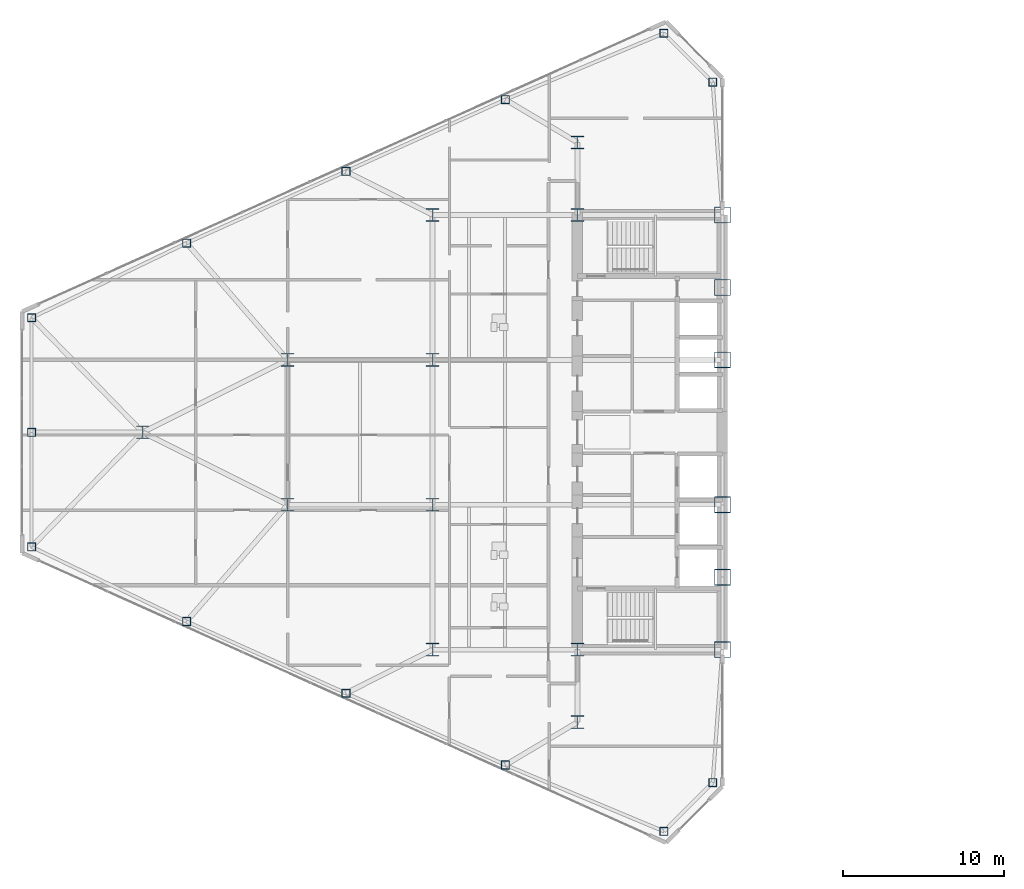
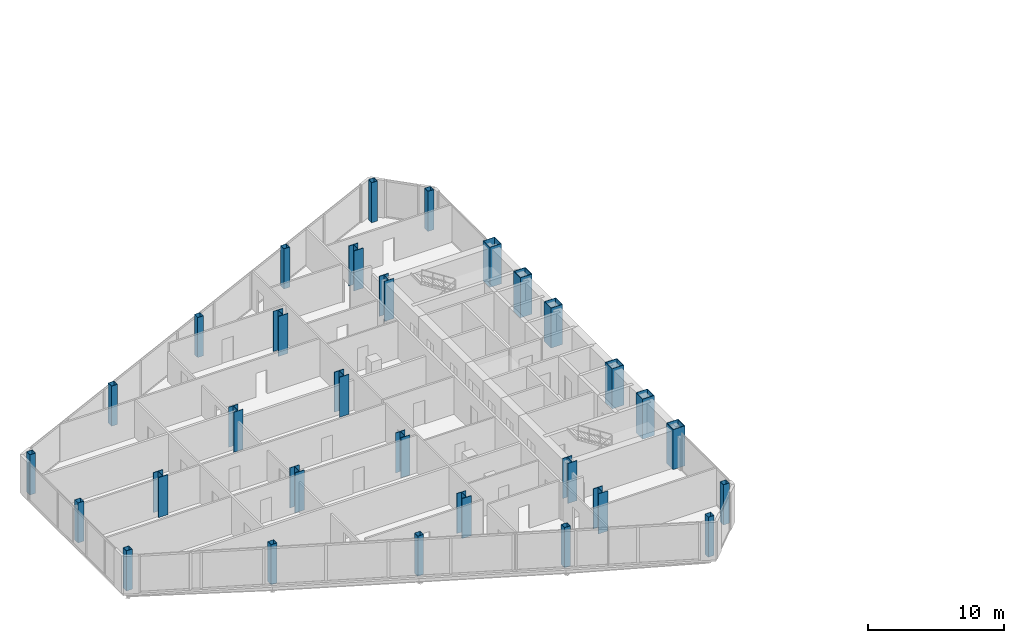
# One storey, part 1 of 27: 30 columns.
"""IFC4 building model written with IfcOpenShell, lengths in metres."""

from ifc_helpers import new_model, si_unit, direction, frame, origin, origin_2d, place, context, subcontext, project, spatial, hollow_rectangle, i_section, extrude, source, transform, mapped, material, material_profile, profile_set, type_object, type_shapes, element, save


model = new_model("IFC4")

# Units and contexts
model_context = context("Model", 3, precision=1e-05, world=origin(), true_north=direction((0.0, 1.0)))
body_context = subcontext(model_context, "Body", "Model", "MODEL_VIEW")
ifc_project = project(units=[si_unit("LENGTHUNIT", "METRE"), si_unit("AREAUNIT", "SQUARE_METRE"), si_unit("VOLUMEUNIT", "CUBIC_METRE"), si_unit("PLANEANGLEUNIT", "RADIAN"), si_unit("MASSUNIT", "GRAM", prefix="KILO")], contexts=[model_context])

# Site, building, storey
site_placement = place(None, origin())
site = spatial("IfcSite", under=ifc_project, at=site_placement, CompositionType="ELEMENT")
building_placement = place(site_placement, origin())
building = spatial("IfcBuilding", under=site, at=building_placement, Name="Seokmaru Belvedere", CompositionType="ELEMENT")
storey_placement = place(building_placement, frame((0.0, 0.0, 69.300048828125)))
storey = spatial("IfcBuildingStorey", under=building, at=storey_placement, Name="L18", CompositionType="ELEMENT", Elevation=69.300048828125)

# Columns
ifc_material_1 = material(Name="Steel SM355 (355 MPa)", Category="steel")
ifc_material_profile_1 = material_profile(ifc_material_1, hollow_rectangle(XDim=0.5, YDim=0.5, WallThickness=0.02001953125, at=origin_2d()), Name="HSS-500x500x20")
ifc_profile_set_1 = profile_set([ifc_material_profile_1], Name="Steel SM355 (355 MPa)")
column_type_1 = type_object("IfcColumnType", Name="Perimeter Facet Column HSS-500", PredefinedType="COLUMN", material=ifc_profile_set_1)
shared_shape_1 = source(origin(), body_context, "Body", "SweptSolid", [
    extrude(hollow_rectangle(XDim=0.5, YDim=0.5, WallThickness=0.02001953125, at=origin_2d()), origin(), (0.0, 0.0, 1.0), 3.599853515625),
])
type_shapes(column_type_1, [shared_shape_1])
for number, where, z_axis, x_axis, name in (
    (1, (-28.10009765625, -21.75146484375, 0.0), (0.0, 0.0, 1.0), (1.0, 0.0, 0.0), "L18 Column WF1"),
    (2, (-28.10009765625, 21.75146484375, 0.0), (0.0, 0.0, 1.0), (1.0, 0.0, 0.0), "L18 Column WF2"),
    (3, (-31.13134765625, 24.782958984375, 0.0), (0.0, 0.0, 1.0), (1.0, 0.0, 0.0), "L18 Column WF3"),
    (4, (-70.39990234375, 7.112060546875, 0.0), (0.0, 0.0, 1.0), (1.0, 0.0, 0.0), "L18 Column WF4"),
    (5, (-70.39990234375, -7.112060546875, 0.0), (0.0, 0.0, 1.0), (1.0, 0.0, 0.0), "L18 Column WF5"),
    (6, (-31.13134765625, -24.782958984375, 0.0), (0.0, 0.0, 1.0), (1.0, 0.0, 0.0), "L18 Column WF6"),
    (7, (-40.97265625, -20.661376953125, 0.0), (0.0, 0.0, 1.0), (1.0, 0.0, 0.0), "L18 Column WFLK_S1"),
    (8, (-50.875, -16.205322265625, 0.0), (0.0, 0.0, 1.0), (1.0, 0.0, 0.0), "L18 Column WFLK_S2"),
    (9, (-60.777587890625, -11.749267578125, 0.0), (0.0, 0.0, 1.0), (1.0, 0.0, 0.0), "L18 Column WFLK_S3"),
    (10, (-40.97265625, 20.661376953125, 0.0), (0.0, 0.0, 1.0), (1.0, 0.0, 0.0), "L18 Column WFLK_N1"),
    (11, (-50.875, 16.205322265625, 0.0), (0.0, 0.0, 1.0), (1.0, 0.0, 0.0), "L18 Column WFLK_N2"),
    (12, (-60.777587890625, 11.749267578125, 0.0), (0.0, 0.0, 1.0), (1.0, 0.0, 0.0), "L18 Column WFLK_N3"),
    (13, (-70.39990234375, 0.0, 0.0), (0.0, 0.0, 1.0), (1.0, 0.0, 0.0), "L18 Column WF_APXM"),
):
    element("IfcColumn", number, at=place(storey_placement, frame(where, z_axis=z_axis, x_axis=x_axis)), inside=storey, type_object=column_type_1, Name=name, PredefinedType="COLUMN", context=body_context, shape_type="MappedRepresentation", body=[
        mapped(shared_shape_1, transform((0.0, 0.0, 0.0), scale=1.0)),
    ])
ifc_material_2 = material(Name="Steel HSA650 (650 MPa)", Category="steel")
ifc_material_profile_2 = material_profile(ifc_material_2, hollow_rectangle(XDim=1.0, YDim=1.0, WallThickness=0.0419921875, at=origin_2d()), Name="BOX-1000x1000x42")
ifc_profile_set_2 = profile_set([ifc_material_profile_2], Name="Steel HSA650 (650 MPa)")
column_type_2 = type_object("IfcColumnType", Name="Portal Spine Column BOX-1000", PredefinedType="COLUMN", material=ifc_profile_set_2)
shared_shape_2 = source(origin(), body_context, "Body", "SweptSolid", [
    extrude(hollow_rectangle(XDim=1.0, YDim=1.0, WallThickness=0.0419921875, at=origin_2d()), origin(), (0.0, 0.0, 1.0), 3.599853515625),
])
type_shapes(column_type_2, [shared_shape_2])
for number, where, z_axis, x_axis, name in (
    (14, (-27.5, -13.5, 0.0), (0.0, 0.0, 1.0), (1.0, 0.0, 0.0), "L18 Column WS1"),
    (15, (-27.5, -9.0, 0.0), (0.0, 0.0, 1.0), (1.0, 0.0, 0.0), "L18 Column WS2"),
    (16, (-27.5, -4.5, 0.0), (0.0, 0.0, 1.0), (1.0, 0.0, 0.0), "L18 Column WS3"),
    (17, (-27.5, 4.5, 0.0), (0.0, 0.0, 1.0), (1.0, 0.0, 0.0), "L18 Column WS4"),
    (18, (-27.5, 9.0, 0.0), (0.0, 0.0, 1.0), (1.0, 0.0, 0.0), "L18 Column WS5"),
    (19, (-27.5, 13.5, 0.0), (0.0, 0.0, 1.0), (1.0, 0.0, 0.0), "L18 Column WS6"),
):
    element("IfcColumn", number, at=place(storey_placement, frame(where, z_axis=z_axis, x_axis=x_axis)), inside=storey, type_object=column_type_2, Name=name, PredefinedType="COLUMN", context=body_context, shape_type="MappedRepresentation", body=[
        mapped(shared_shape_2, transform((0.0, 0.0, 0.0), scale=1.0)),
    ])
ifc_material_profile_3 = material_profile(ifc_material_1, i_section(OverallWidth=0.800048828125, OverallDepth=0.800048828125, WebThickness=0.031982421875, FlangeThickness=0.050048828125, at=origin_2d()), Name="H-800x800x32x50")
ifc_profile_set_3 = profile_set([ifc_material_profile_3], Name="Steel SM355 (355 MPa)")
column_type_3 = type_object("IfcColumnType", Name="Lower-Mid Interior Column H-800", PredefinedType="COLUMN", material=ifc_profile_set_3)
shared_shape_3 = source(origin(), body_context, "Body", "SweptSolid", [
    extrude(i_section(OverallWidth=0.800048828125, OverallDepth=0.800048828125, WebThickness=0.031982421875, FlangeThickness=0.050048828125, at=origin_2d()), origin(), (0.0, 0.0, 1.0), 3.599853515625),
])
type_shapes(column_type_3, [shared_shape_3])
for number, where, z_axis, x_axis, name in (
    (20, (-36.5, -18.0, 0.0), (0.0, 0.0, 1.0), (1.0, 0.0, 0.0), "L18 Column WC1"),
    (21, (-36.5, -13.5, 0.0), (0.0, 0.0, 1.0), (1.0, 0.0, 0.0), "L18 Column WC2"),
    (22, (-36.5, 13.5, 0.0), (0.0, 0.0, 1.0), (1.0, 0.0, 0.0), "L18 Column WC3"),
    (23, (-36.5, 18.0, 0.0), (0.0, 0.0, 1.0), (1.0, 0.0, 0.0), "L18 Column WC4"),
    (24, (-45.5, -13.5, 0.0), (0.0, 0.0, 1.0), (1.0, 0.0, 0.0), "L18 Column WG5_1"),
    (25, (-45.5, -4.5, 0.0), (0.0, 0.0, 1.0), (1.0, 0.0, 0.0), "L18 Column WG5_2"),
    (26, (-45.5, 4.5, 0.0), (0.0, 0.0, 1.0), (1.0, 0.0, 0.0), "L18 Column WG5_3"),
    (27, (-45.5, 13.5, 0.0), (0.0, 0.0, 1.0), (1.0, 0.0, 0.0), "L18 Column WG5_4"),
    (28, (-54.5, -4.5, 0.0), (0.0, 0.0, 1.0), (1.0, 0.0, 0.0), "L18 Column WG4P_1"),
    (29, (-54.5, 4.5, 0.0), (0.0, 0.0, 1.0), (1.0, 0.0, 0.0), "L18 Column WG4P_2"),
    (30, (-63.5, 0.0, 0.0), (0.0, 0.0, 1.0), (1.0, 0.0, 0.0), "L18 Column WG3P_1"),
):
    element("IfcColumn", number, at=place(storey_placement, frame(where, z_axis=z_axis, x_axis=x_axis)), inside=storey, type_object=column_type_3, Name=name, PredefinedType="COLUMN", context=body_context, shape_type="MappedRepresentation", body=[
        mapped(shared_shape_3, transform((0.0, 0.0, 0.0), scale=1.0)),
    ])

save(model, "model.ifc")
